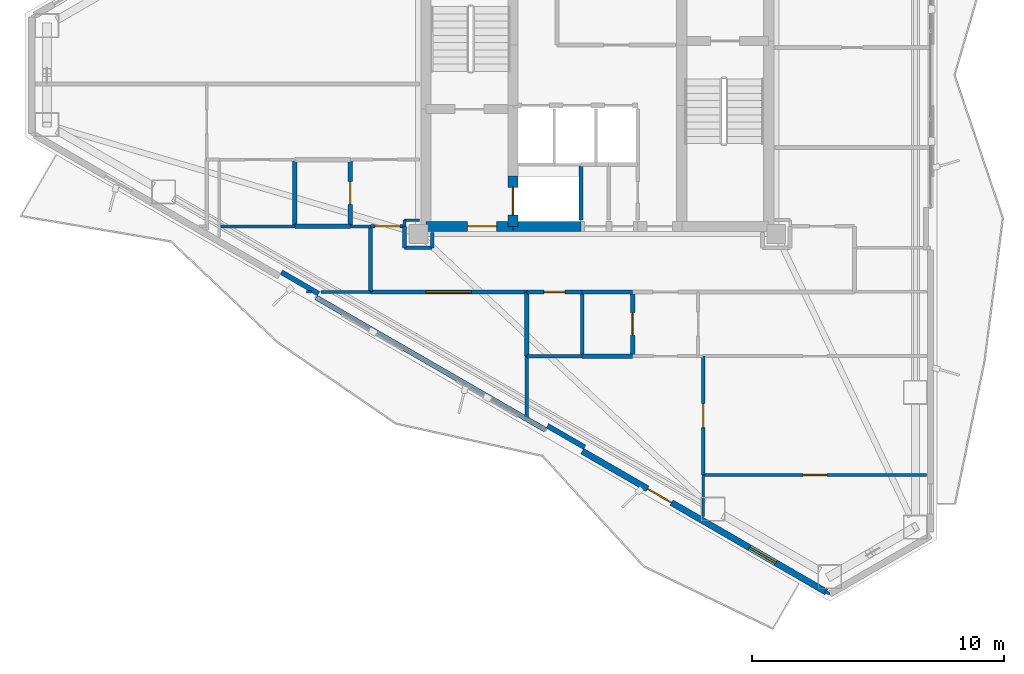
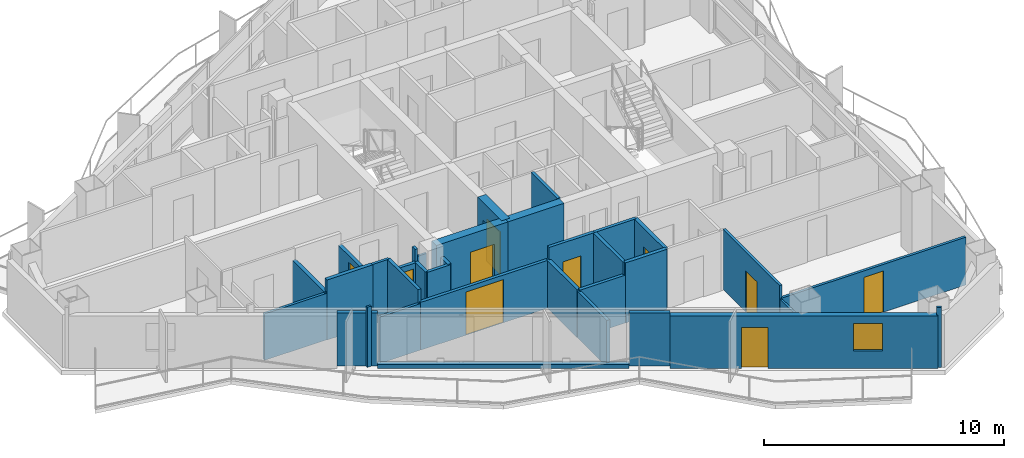
# One storey, part 12 of 19: 35 walls, 10 doors, 1 window, 11 openings.
"""IFC4 building model written with IfcOpenShell, lengths in metres."""

from ifc_helpers import new_model, si_unit, direction, frame, frame_2d, origin, place, context, subcontext, project, spatial, rectangle, extrude, material, layer, layer_set, type_object, element, fill, save


model = new_model("IFC4")

# Units and contexts
model_context = context("Model", 3, precision=1e-05, world=origin(), true_north=direction((0.0, 1.0)))
body_context = subcontext(model_context, "Body", "Model", "MODEL_VIEW")
ifc_project = project(units=[si_unit("LENGTHUNIT", "METRE"), si_unit("AREAUNIT", "SQUARE_METRE"), si_unit("VOLUMEUNIT", "CUBIC_METRE"), si_unit("PLANEANGLEUNIT", "RADIAN"), si_unit("MASSUNIT", "GRAM", prefix="KILO")], contexts=[model_context])

# Site, building, storey
site_placement = place(None, origin())
site = spatial("IfcSite", under=ifc_project, at=site_placement, CompositionType="ELEMENT")
building_placement = place(site_placement, origin())
building = spatial("IfcBuilding", under=site, at=building_placement, Name="Mersakhor Tower and Convention Hall", CompositionType="ELEMENT")
storey_placement = place(building_placement, frame((0.0, 0.0, 127.800048828125)))
storey = spatial("IfcBuildingStorey", under=building, at=storey_placement, Name="L35", CompositionType="ELEMENT", Elevation=127.800048828125)

# Wall, openings, door, window
ifc_material_1 = material(Name="Precast concrete C40/50", Category="concrete")
ifc_layer_1 = layer(ifc_material_1, 0.25)
ifc_layer_set_1 = layer_set([ifc_layer_1], Name="Precast concrete C40/50")
wall_type_1 = type_object("IfcWallType", Name="WL-EXT-250", PredefinedType="SOLIDWALL", material=ifc_layer_set_1)
wall_1_placement = place(storey_placement, frame((38.090576171875, 6.2373046875, 0.0), z_axis=(0.0, 0.0, 1.0), x_axis=(-0.86602239209, 0.500005216371, 0.0)))
wall_1 = element("IfcWall", 1, at=wall_1_placement, inside=storey, type_object=wall_type_1, Name="L35 Exterior Facade Wall F3-B1", PredefinedType="SOLIDWALL", context=body_context, shape_type="SweptSolid", body=[
    extrude(rectangle(XDim=11.18603515625, YDim=0.25, at=frame_2d((5.593017578125, 0.0))), origin(), (0.0, 0.0, 1.0), 2.679931640625),
])
opening_1_placement = place(wall_1_placement, frame((7.094970703125, 0.0, 0.0)))
opening_1 = element("IfcOpeningElement", 2, at=opening_1_placement, cuts=wall_1, Name="Opening BD-02", PredefinedType="OPENING", context=body_context, shape_type="SweptSolid", body=[
    extrude(rectangle(XDim=1.10009765625, YDim=2.10009765625, at=frame_2d((0.550048828125, 1.050048828125))), frame((0.0, 0.135009765625, 0.0), z_axis=(0.0, -1.0, 0.0), x_axis=(1.0, 0.0, 0.0)), (0.0, 0.0, 1.0), 0.27001953125),
])
opening_2_placement = place(wall_1_placement, frame((2.322021484375, 0.0, 0.89990234375)))
opening_2 = element("IfcOpeningElement", 3, at=opening_2_placement, cuts=wall_1, Name="Opening W-01", PredefinedType="OPENING", context=body_context, shape_type="SweptSolid", body=[
    extrude(rectangle(XDim=1.199951171875, YDim=1.39990234375, at=frame_2d((0.60009765625, 0.699951171875))), frame((0.0, 0.135009765625, 0.0), z_axis=(0.0, -1.0, 0.0), x_axis=(1.0, 0.0, 0.0)), (0.0, 0.0, 1.0), 0.27001953125),
])
ifc_material_2 = material(Name="Thermally broken dark aluminium and safety glass", Category="aluminium")
door_type_1 = type_object("IfcDoorType", Name="DR-BAL-110x210", OperationType="NOTDEFINED", PredefinedType="DOOR", material=ifc_material_2)
door_1_placement = place(opening_1_placement, origin())
door_1 = element("IfcDoor", 4, at=door_1_placement, inside=storey, type_object=door_type_1, Name="L35 Balcony Terrace Door F3-B1", OperationType="SINGLE_SWING_RIGHT", OverallHeight=2.10009765625, OverallWidth=1.10009765625, PredefinedType="DOOR", context=body_context, shape_type="SweptSolid", body=[
    extrude(rectangle(XDim=1.10009765625, YDim=2.10009765625, at=frame_2d((0.550048828125, 1.050048828125))), frame((0.0, 0.02490234375, 0.0), z_axis=(0.0, -1.0, 0.0), x_axis=(1.0, 0.0, 0.0)), (0.0, 0.0, 1.0), 0.050048828125),
])
fill(opening_1, door_1)
ifc_material_3 = material(Name="Dark solar low-E glazed aluminium window", Category="aluminium")
window_type = type_object("IfcWindowType", Name="WN-RES-120x150", PartitioningType="SINGLE_PANEL", PredefinedType="WINDOW", material=ifc_material_3)
window_placement = place(opening_2_placement, origin())
window = element("IfcWindow", 5, at=window_placement, inside=storey, type_object=window_type, Name="L35 Bedroom Facade Window F3-B1-1", OverallHeight=1.39990234375, OverallWidth=1.199951171875, PartitioningType="SINGLE_PANEL", PredefinedType="WINDOW", context=body_context, shape_type="SweptSolid", body=[
    extrude(rectangle(XDim=1.199951171875, YDim=1.39990234375, at=frame_2d((0.60009765625, 0.699951171875))), frame((0.0, 0.030029296875, 0.0), z_axis=(0.0, -1.0, 0.0), x_axis=(1.0, 0.0, 0.0)), (0.0, 0.0, 1.0), 0.06005859375),
])
fill(opening_2, window)

# Walls
ifc_material_4 = material(Name="Precast concrete C40/50", Category="concrete")
ifc_layer_2 = layer(ifc_material_4, 0.199951171875)
ifc_layer_set_2 = layer_set([ifc_layer_2], Name="Precast concrete C40/50")
wall_type_2 = type_object("IfcWallType", Name="WL-PAR-200", PredefinedType="PARAPET", material=ifc_layer_set_2)
wall_2_placement = place(storey_placement, frame((26.930908203125, 12.680419921875, 0.0), z_axis=(0.0, 0.0, 1.0), x_axis=(-0.866026619769, 0.499997893847, 0.0)))
element("IfcWall", 6, at=wall_2_placement, inside=storey, type_object=wall_type_2, Name="L35 Curtain Wall Upstand Sill F3-B2", PredefinedType="PARAPET", context=body_context, shape_type="SweptSolid", body=[
    extrude(rectangle(XDim=10.48583984375, YDim=0.199951171875, at=frame_2d((5.242919921875, 0.0))), origin(), (0.0, 0.0, 1.0), 0.199951171875),
])
for number, where, z_axis, x_axis, name in (
    (7, (28.4931640625, 11.986328125, 0.0), (0.0, 0.0, 1.0), (-0.86605165483, 0.499954529098, 0.0), "L35 Column Pier Cladding Wall F3-C1"),
    (8, (17.939697265625, 18.0791015625, 0.0), (0.0, 0.0, 1.0), (-0.865989465428, 0.500062241894, 0.0), "L35 Column Pier Cladding Wall F3-C2"),
):
    element("IfcWall", number, at=place(storey_placement, frame(where, z_axis=z_axis, x_axis=x_axis)), inside=storey, type_object=wall_type_2, Name=name, PredefinedType="PARAPET", context=body_context, shape_type="SweptSolid", body=[
        extrude(rectangle(XDim=1.699951171875, YDim=0.199951171875, at=frame_2d((0.85009765625, 0.0))), origin(), (0.0, 0.0, 1.0), 2.679931640625),
    ])

# Wall, opening, door
ifc_material_5 = material(Name="Moisture-resistant acoustic drywall studwork", Category="other")
ifc_layer_3 = layer(ifc_material_5, 0.175048828125)
ifc_layer_set_3 = layer_set([ifc_layer_3], Name="Moisture-resistant acoustic drywall studwork")
wall_type_3 = type_object("IfcWallType", Name="WL-PLM-175", PredefinedType="PLUMBINGWALL", material=ifc_layer_set_3)
wall_3_placement = place(storey_placement, frame((30.39990234375, 15.60009765625, 0.0), z_axis=(0.0, 0.0, 1.0), x_axis=(0.0, 1.0, 0.0)))
wall_3 = element("IfcWall", 9, at=wall_3_placement, inside=storey, type_object=wall_type_3, Name="L35 Interior Partition Wall P-054", PredefinedType="PLUMBINGWALL", context=body_context, shape_type="SweptSolid", body=[
    extrude(rectangle(XDim=2.5498046875, YDim=0.175048828125, at=frame_2d((1.27490234375, 0.0))), origin(), (0.0, 0.0, 1.0), 3.06005859375),
])
opening_3_placement = place(wall_3_placement, frame((0.824951171875, 0.0, 0.0)))
opening_3 = element("IfcOpeningElement", 10, at=opening_3_placement, cuts=wall_3, Name="Opening WD-01", PredefinedType="OPENING", context=body_context, shape_type="SweptSolid", body=[
    extrude(rectangle(XDim=0.89990234375, YDim=2.10009765625, at=frame_2d((0.449951171875, 1.050048828125))), frame((0.0, 0.097412109375, 0.0), z_axis=(0.0, -1.0, 0.0), x_axis=(1.0, 0.0, 0.0)), (0.0, 0.0, 1.0), 0.195068359375),
])
ifc_material_6 = material(Name="Solid-core hardwood leaf in painted steel frame", Category="steel")
door_type_2 = type_object("IfcDoorType", Name="DR-INT-WET-090x210", OperationType="NOTDEFINED", PredefinedType="DOOR", material=ifc_material_6)
door_2_placement = place(opening_3_placement, origin())
door_2 = element("IfcDoor", 11, at=door_2_placement, inside=storey, type_object=door_type_2, Name="L35 L35 Flat S2 Apartment Hall to L35 Flat S2 Bathroom Door", OperationType="SINGLE_SWING_RIGHT", OverallHeight=2.10009765625, OverallWidth=0.89990234375, PredefinedType="DOOR", context=body_context, shape_type="SweptSolid", body=[
    extrude(rectangle(XDim=0.89990234375, YDim=2.10009765625, at=frame_2d((0.449951171875, 1.050048828125))), frame((0.0, 0.02490234375, 0.0), z_axis=(0.0, -1.0, 0.0), x_axis=(1.0, 0.0, 0.0)), (0.0, 0.0, 1.0), 0.050048828125),
])
fill(opening_3, door_2)

wall_4_placement = place(storey_placement, frame((19.199951171875, 20.75, 0.0), z_axis=(0.0, 0.0, 1.0), x_axis=(0.0, 1.0, 0.0)))
wall_4 = element("IfcWall", 12, at=wall_4_placement, inside=storey, type_object=wall_type_3, Name="L35 Interior Partition Wall P-062", PredefinedType="PLUMBINGWALL", context=body_context, shape_type="SweptSolid", body=[
    extrude(rectangle(XDim=2.64990234375, YDim=0.175048828125, at=frame_2d((1.324951171875, 0.0))), origin(), (0.0, 0.0, 1.0), 2.432861328125),
])
opening_4_placement = place(wall_4_placement, frame((0.875, 0.0, 0.0)))
opening_4 = element("IfcOpeningElement", 13, at=opening_4_placement, cuts=wall_4, Name="Opening WD-01", PredefinedType="OPENING", context=body_context, shape_type="SweptSolid", body=[
    extrude(rectangle(XDim=0.89990234375, YDim=2.10009765625, at=frame_2d((0.449951171875, 1.050048828125))), frame((0.0, 0.097412109375, 0.0), z_axis=(0.0, -1.0, 0.0), x_axis=(1.0, 0.0, 0.0)), (0.0, 0.0, 1.0), 0.195068359375),
])
door_3_placement = place(opening_4_placement, origin())
door_3 = element("IfcDoor", 14, at=door_3_placement, inside=storey, type_object=door_type_2, Name="L35 L35 Flat W4 Apartment Hall to L35 Flat W4 Bathroom Door", OperationType="SINGLE_SWING_LEFT", OverallHeight=2.10009765625, OverallWidth=0.89990234375, PredefinedType="DOOR", context=body_context, shape_type="SweptSolid", body=[
    extrude(rectangle(XDim=0.89990234375, YDim=2.10009765625, at=frame_2d((0.449951171875, 1.050048828125))), frame((0.0, 0.02490234375, 0.0), z_axis=(0.0, -1.0, 0.0), x_axis=(1.0, 0.0, 0.0)), (0.0, 0.0, 1.0), 0.050048828125),
])
fill(opening_4, door_3)

# Walls
wall_5_placement = place(storey_placement, frame((26.199951171875, 15.60009765625, 0.0), z_axis=(0.0, 0.0, 1.0), x_axis=(0.0, 1.0, 0.0)))
element("IfcWall", 15, at=wall_5_placement, inside=storey, type_object=wall_type_3, Name="L35 Interior Partition Wall P-070", PredefinedType="PLUMBINGWALL", context=body_context, shape_type="SweptSolid", body=[
    extrude(rectangle(XDim=2.5498046875, YDim=0.175048828125, at=frame_2d((1.27490234375, 0.0))), origin(), (0.0, 0.0, 1.0), 2.432861328125),
])
wall_6_placement = place(storey_placement, frame((30.39990234375, 15.60009765625, 0.0), z_axis=(0.0, 0.0, 1.0), x_axis=(-1.0, 0.0, 0.0)))
element("IfcWall", 16, at=wall_6_placement, inside=storey, type_object=wall_type_3, Name="L35 Interior Partition Wall P-075", PredefinedType="PLUMBINGWALL", context=body_context, shape_type="SweptSolid", body=[
    extrude(rectangle(XDim=2.0, YDim=0.175048828125, at=frame_2d((1.0, 0.0))), origin(), (0.0, 0.0, 1.0), 3.06005859375),
])
wall_7_placement = place(storey_placement, frame((19.199951171875, 20.75, 0.0), z_axis=(0.0, 0.0, 1.0), x_axis=(-1.0, 0.0, 0.0)))
element("IfcWall", 17, at=wall_7_placement, inside=storey, type_object=wall_type_3, Name="L35 Interior Partition Wall P-086", PredefinedType="PLUMBINGWALL", context=body_context, shape_type="SweptSolid", body=[
    extrude(rectangle(XDim=2.199951171875, YDim=0.175048828125, at=frame_2d((1.10009765625, 0.0))), origin(), (0.0, 0.0, 1.0), 3.06005859375),
])
wall_8_placement = place(storey_placement, frame((17.0, 20.75, 0.0), z_axis=(0.0, 0.0, 1.0), x_axis=(0.0, 1.0, 0.0)))
element("IfcWall", 18, at=wall_8_placement, inside=storey, type_object=wall_type_3, Name="L35 Interior Partition Wall P-087", PredefinedType="PLUMBINGWALL", context=body_context, shape_type="SweptSolid", body=[
    extrude(rectangle(XDim=2.64990234375, YDim=0.175048828125, at=frame_2d((1.324951171875, 0.0))), origin(), (0.0, 0.0, 1.0), 2.432861328125),
])
ifc_material_7 = material(Name="Lightweight gypsum partition", Category="other")
ifc_layer_4 = layer(ifc_material_7, 0.10009765625)
ifc_layer_set_4 = layer_set([ifc_layer_4], Name="Lightweight gypsum partition")
wall_type_4 = type_object("IfcWallType", Name="WL-PRT-100", PredefinedType="PARTITIONING", material=ifc_layer_set_4)
wall_9_placement = place(storey_placement, frame((21.949951171875, 21.0, 0.0), z_axis=(0.0, 0.0, 1.0), x_axis=(-1.0, 0.0, 0.0)))
element("IfcWall", 19, at=wall_9_placement, inside=storey, type_object=wall_type_4, Name="L35 Interior Partition Wall P-064", PredefinedType="PARTITIONING", context=body_context, shape_type="SweptSolid", body=[
    extrude(rectangle(XDim=0.599853515625, YDim=0.10009765625, at=frame_2d((0.2998046875, 0.0))), origin(), (0.0, 0.0, 1.0), 2.50830078125),
])
wall_10_placement = place(storey_placement, frame((17.45703125, 18.14990234375, 0.0), z_axis=(0.0, 0.0, 1.0), x_axis=(1.0, 0.0, 0.0)))
element("IfcWall", 20, at=wall_10_placement, inside=storey, type_object=wall_type_4, Name="L35 Interior Partition Wall P-096", PredefinedType="PARTITIONING", context=body_context, shape_type="SweptSolid", body=[
    extrude(rectangle(XDim=0.199951171875, YDim=0.10009765625, at=frame_2d((0.10009765625, 0.0))), origin(), (0.0, 0.0, 1.0), 3.06005859375),
])
wall_11_placement = place(storey_placement, frame((33.199951171875, 10.8798828125, 0.0), z_axis=(0.0, 0.0, 1.0), x_axis=(0.0, -1.0, 0.0)))
element("IfcWall", 21, at=wall_11_placement, inside=storey, type_object=wall_type_4, Name="L35 Interior Partition Wall P-118", PredefinedType="PARTITIONING", context=body_context, shape_type="SweptSolid", body=[
    extrude(rectangle(XDim=1.64697265625, YDim=0.10009765625, at=frame_2d((0.823486328125, 0.0))), origin(), (0.0, 0.0, 1.0), 2.364990234375),
])
wall_12_placement = place(storey_placement, frame((38.220703125, 6.162109375, 0.0), z_axis=(0.0, 0.0, 1.0), x_axis=(-0.865581379588, 0.500768285049, 0.0)))
element("IfcWall", 22, at=wall_12_placement, inside=storey, type_object=wall_type_4, Name="L35 Interior Partition Wall P-120", PredefinedType="PARTITIONING", context=body_context, shape_type="SweptSolid", body=[
    extrude(rectangle(XDim=0.215576171875, YDim=0.10009765625, at=frame_2d((0.10791015625, 0.0))), origin(), (0.0, 0.0, 1.0), 3.06005859375),
])
ifc_material_8 = material(Name="Gypsum board acoustic partition", Category="other")
ifc_layer_5 = layer(ifc_material_8, 0.125)
ifc_layer_set_5 = layer_set([ifc_layer_5], Name="Gypsum board acoustic partition")
wall_type_5 = type_object("IfcWallType", Name="WL-PRT-125", PredefinedType="PARTITIONING", material=ifc_layer_set_5)
wall_13_placement = place(storey_placement, frame((20.0, 20.75, 0.0), z_axis=(0.0, 0.0, 1.0), x_axis=(-1.0, 0.0, 0.0)))
element("IfcWall", 23, at=wall_13_placement, inside=storey, type_object=wall_type_5, Name="L35 Interior Partition Wall P-061", PredefinedType="PARTITIONING", context=body_context, shape_type="SweptSolid", body=[
    extrude(rectangle(XDim=0.800048828125, YDim=0.125, at=frame_2d((0.39990234375, 0.0))), origin(), (0.0, 0.0, 1.0), 3.06005859375),
])
wall_14_placement = place(storey_placement, frame((21.35009765625, 21.0, 0.0), z_axis=(0.0, 0.0, 1.0), x_axis=(0.0, -1.0, 0.0)))
element("IfcWall", 24, at=wall_14_placement, inside=storey, type_object=wall_type_5, Name="L35 Interior Partition Wall P-065", PredefinedType="PARTITIONING", context=body_context, shape_type="SweptSolid", body=[
    extrude(rectangle(XDim=0.25, YDim=0.125, at=frame_2d((0.125, 0.0))), origin(), (0.0, 0.0, 1.0), 3.06005859375),
])
wall_15_placement = place(storey_placement, frame((17.0, 20.75, 0.0), z_axis=(0.0, 0.0, 1.0), x_axis=(-1.0, 0.0, 0.0)))
element("IfcWall", 25, at=wall_15_placement, inside=storey, type_object=wall_type_5, Name="L35 Interior Partition Wall P-089", PredefinedType="PARTITIONING", context=body_context, shape_type="SweptSolid", body=[
    extrude(rectangle(XDim=3.0, YDim=0.125, at=frame_2d((1.5, 0.0))), origin(), (0.0, 0.0, 1.0), 2.364990234375),
])
wall_16_placement = place(storey_placement, frame((18.04248046875, 18.14990234375, 0.0), z_axis=(0.0, 0.0, 1.0), x_axis=(1.0, 0.0, 0.0)))
element("IfcWall", 26, at=wall_16_placement, inside=storey, type_object=wall_type_5, Name="L35 Interior Partition Wall P-097", PredefinedType="PARTITIONING", context=body_context, shape_type="SweptSolid", body=[
    extrude(rectangle(XDim=1.95751953125, YDim=0.125, at=frame_2d((0.978759765625, 0.0))), origin(), (0.0, 0.0, 1.0), 2.364990234375),
])

# Wall, opening, door
wall_17_placement = place(storey_placement, frame((33.199951171875, 15.60009765625, 0.0), z_axis=(0.0, 0.0, 1.0), x_axis=(0.0, -1.0, 0.0)))
wall_17 = element("IfcWall", 27, at=wall_17_placement, inside=storey, type_object=wall_type_5, Name="L35 Interior Partition Wall P-117", PredefinedType="PARTITIONING", context=body_context, shape_type="SweptSolid", body=[
    extrude(rectangle(XDim=4.72021484375, YDim=0.125, at=frame_2d((2.360107421875, 0.0))), origin(), (0.0, 0.0, 1.0), 3.06005859375),
])
opening_5_placement = place(wall_17_placement, frame((1.885009765625, 0.0, 0.0)))
opening_5 = element("IfcOpeningElement", 28, at=opening_5_placement, cuts=wall_17, Name="Opening RD-01", PredefinedType="OPENING", context=body_context, shape_type="SweptSolid", body=[
    extrude(rectangle(XDim=0.949951171875, YDim=2.10009765625, at=frame_2d((0.47509765625, 1.050048828125))), frame((0.0, 0.072509765625, 0.0), z_axis=(0.0, -1.0, 0.0), x_axis=(1.0, 0.0, 0.0)), (0.0, 0.0, 1.0), 0.14501953125),
])
ifc_material_9 = material(Name="Solid-core hardwood leaf in painted steel frame", Category="steel")
door_type_3 = type_object("IfcDoorType", Name="DR-INT-RM-095x210", OperationType="NOTDEFINED", PredefinedType="DOOR", material=ifc_material_9)
door_4_placement = place(opening_5_placement, origin())
door_4 = element("IfcDoor", 29, at=door_4_placement, inside=storey, type_object=door_type_3, Name="L35 L35 Flat S2 Living and Dining Room to L35 Flat S2 Dining Room Door", OperationType="SINGLE_SWING_RIGHT", OverallHeight=2.10009765625, OverallWidth=0.949951171875, PredefinedType="DOOR", context=body_context, shape_type="SweptSolid", body=[
    extrude(rectangle(XDim=0.949951171875, YDim=2.10009765625, at=frame_2d((0.47509765625, 1.050048828125))), frame((0.0, 0.02490234375, 0.0), z_axis=(0.0, -1.0, 0.0), x_axis=(1.0, 0.0, 0.0)), (0.0, 0.0, 1.0), 0.050048828125),
])
fill(opening_5, door_4)

wall_18_placement = place(storey_placement, frame((33.199951171875, 10.8798828125, 0.0), z_axis=(0.0, 0.0, 1.0), x_axis=(1.0, 0.0, 0.0)))
wall_18 = element("IfcWall", 30, at=wall_18_placement, inside=storey, type_object=wall_type_5, Name="L35 Interior Partition Wall P-119", PredefinedType="PARTITIONING", context=body_context, shape_type="SweptSolid", body=[
    extrude(rectangle(XDim=8.870361328125, YDim=0.125, at=frame_2d((4.43505859375, 0.0))), origin(), (0.0, 0.0, 1.0), 2.432861328125),
])
opening_6_placement = place(wall_18_placement, frame((3.960205078125, 0.0, 0.0)))
opening_6 = element("IfcOpeningElement", 31, at=opening_6_placement, cuts=wall_18, Name="Opening RD-01", PredefinedType="OPENING", context=body_context, shape_type="SweptSolid", body=[
    extrude(rectangle(XDim=0.949951171875, YDim=2.10009765625, at=frame_2d((0.47509765625, 1.050048828125))), frame((0.0, 0.072509765625, 0.0), z_axis=(0.0, -1.0, 0.0), x_axis=(1.0, 0.0, 0.0)), (0.0, 0.0, 1.0), 0.14501953125),
])
door_5_placement = place(opening_6_placement, origin())
door_5 = element("IfcDoor", 32, at=door_5_placement, inside=storey, type_object=door_type_3, Name="L35 L35 Flat S2 Bedroom 1 to L35 Flat S2 Dining Room Door", OperationType="SINGLE_SWING_LEFT", OverallHeight=2.10009765625, OverallWidth=0.949951171875, PredefinedType="DOOR", context=body_context, shape_type="SweptSolid", body=[
    extrude(rectangle(XDim=0.949951171875, YDim=2.10009765625, at=frame_2d((0.47509765625, 1.050048828125))), frame((0.0, 0.02490234375, 0.0), z_axis=(0.0, -1.0, 0.0), x_axis=(1.0, 0.0, 0.0)), (0.0, 0.0, 1.0), 0.050048828125),
])
fill(opening_6, door_5)

# Walls
ifc_material_10 = material(Name="Fire-rated gypsum board stud partition", Category="other")
ifc_layer_6 = layer(ifc_material_10, 0.14990234375)
ifc_layer_set_6 = layer_set([ifc_layer_6], Name="Fire-rated gypsum board stud partition")
wall_type_6 = type_object("IfcWallType", Name="WL-PRT-150", PredefinedType="PARTITIONING", material=ifc_layer_set_6)
wall_19_placement = place(storey_placement, frame((28.35009765625, 23.199951171875, 0.0), z_axis=(0.0, 0.0, 1.0), x_axis=(0.0, -1.0, 0.0)))
element("IfcWall", 33, at=wall_19_placement, inside=storey, type_object=wall_type_6, Name="L35 Interior Partition Wall P-003", PredefinedType="PARTITIONING", context=body_context, shape_type="SweptSolid", body=[
    extrude(rectangle(XDim=2.199951171875, YDim=0.14990234375, at=frame_2d((1.10009765625, 0.0))), origin(), (0.0, 0.0, 1.0), 3.06005859375),
])
wall_20_placement = place(storey_placement, frame((22.449951171875, 19.89990234375, 0.0), z_axis=(0.0, 0.0, 1.0), x_axis=(0.0, 1.0, 0.0)))
element("IfcWall", 34, at=wall_20_placement, inside=storey, type_object=wall_type_6, Name="L35 Interior Partition Wall P-033", PredefinedType="PARTITIONING", context=body_context, shape_type="SweptSolid", body=[
    extrude(rectangle(XDim=0.60009765625, YDim=0.14990234375, at=frame_2d((0.300048828125, 0.0))), origin(), (0.0, 0.0, 1.0), 2.432861328125),
])
wall_21_placement = place(storey_placement, frame((30.39990234375, 18.14990234375, 0.0), z_axis=(0.0, 0.0, 1.0), x_axis=(-1.0, 0.0, 0.0)))
element("IfcWall", 35, at=wall_21_placement, inside=storey, type_object=wall_type_6, Name="L35 Interior Partition Wall P-042", PredefinedType="PARTITIONING", context=body_context, shape_type="SweptSolid", body=[
    extrude(rectangle(XDim=2.0, YDim=0.14990234375, at=frame_2d((1.0, 0.0))), origin(), (0.0, 0.0, 1.0), 3.06005859375),
])

# Wall, opening, door
wall_22_placement = place(storey_placement, frame((28.39990234375, 18.14990234375, 0.0), z_axis=(0.0, 0.0, 1.0), x_axis=(-1.0, 0.0, 0.0)))
wall_22 = element("IfcWall", 36, at=wall_22_placement, inside=storey, type_object=wall_type_6, Name="L35 Interior Partition Wall P-043", PredefinedType="PARTITIONING", context=body_context, shape_type="SweptSolid", body=[
    extrude(rectangle(XDim=2.199951171875, YDim=0.14990234375, at=frame_2d((1.10009765625, 0.0))), origin(), (0.0, 0.0, 1.0), 3.06005859375),
])
opening_7_placement = place(wall_22_placement, frame((0.675048828125, 0.0, 0.0)))
opening_7 = element("IfcOpeningElement", 37, at=opening_7_placement, cuts=wall_22, Name="Opening SVD-01", PredefinedType="OPENING", context=body_context, shape_type="SweptSolid", body=[
    extrude(rectangle(XDim=0.85009765625, YDim=2.10009765625, at=frame_2d((0.425048828125, 1.050048828125))), frame((0.0, 0.0849609375, 0.0), z_axis=(0.0, -1.0, 0.0), x_axis=(1.0, 0.0, 0.0)), (0.0, 0.0, 1.0), 0.169921875),
])
ifc_material_11 = material(Name="Fire-rated hardwood leaf and painted steel frame", Category="steel")
door_type_4 = type_object("IfcDoorType", Name="DR-INT-SVC-085x210", OperationType="NOTDEFINED", PredefinedType="DOOR", material=ifc_material_11)
door_6_placement = place(opening_7_placement, origin())
door_6 = element("IfcDoor", 38, at=door_6_placement, inside=storey, type_object=door_type_4, Name="L35 Residential South Gallery Corridor to L35 South Wing Public Toilet WC Door", OperationType="SINGLE_SWING_RIGHT", OverallHeight=2.10009765625, OverallWidth=0.85009765625, PredefinedType="DOOR", context=body_context, shape_type="SweptSolid", body=[
    extrude(rectangle(XDim=0.85009765625, YDim=2.10009765625, at=frame_2d((0.425048828125, 1.050048828125))), frame((0.0, 0.02490234375, 0.0), z_axis=(0.0, -1.0, 0.0), x_axis=(1.0, 0.0, 0.0)), (0.0, 0.0, 1.0), 0.050048828125),
])
fill(opening_7, door_6)

wall_23_placement = place(storey_placement, frame((26.199951171875, 18.14990234375, 0.0), z_axis=(0.0, 0.0, 1.0), x_axis=(-1.0, 0.0, 0.0)))
wall_23 = element("IfcWall", 39, at=wall_23_placement, inside=storey, type_object=wall_type_6, Name="L35 Interior Partition Wall P-044", PredefinedType="PARTITIONING", context=body_context, shape_type="SweptSolid", body=[
    extrude(rectangle(XDim=6.199951171875, YDim=0.14990234375, at=frame_2d((3.10009765625, 0.0))), origin(), (0.0, 0.0, 1.0), 2.432861328125),
])
opening_8_placement = place(wall_23_placement, frame((2.199951171875, 0.0, 0.0)))
opening_8 = element("IfcOpeningElement", 40, at=opening_8_placement, cuts=wall_23, Name="Opening HD-01", PredefinedType="OPENING", context=body_context, shape_type="SweptSolid", body=[
    extrude(rectangle(XDim=1.800048828125, YDim=2.199951171875, at=frame_2d((0.89990234375, 1.10009765625))), frame((0.0, 0.0849609375, 0.0), z_axis=(0.0, -1.0, 0.0), x_axis=(1.0, 0.0, 0.0)), (0.0, 0.0, 1.0), 0.169921875),
])
ifc_material_12 = material(Name="Fire-rated hardwood leaf and painted steel frame", Category="steel")
door_type_5 = type_object("IfcDoorType", Name="DR-INT-HALL-180x220", OperationType="NOTDEFINED", PredefinedType="DOOR", material=ifc_material_12)
door_7_placement = place(opening_8_placement, origin())
door_7 = element("IfcDoor", 41, at=door_7_placement, inside=storey, type_object=door_type_5, Name="L35 Residential South Gallery Corridor to L35 South Wing Residents Reading Library Door", OperationType="DOUBLE_DOOR_SINGLE_SWING", OverallHeight=2.199951171875, OverallWidth=1.800048828125, PredefinedType="DOOR", context=body_context, shape_type="SweptSolid", body=[
    extrude(rectangle(XDim=1.800048828125, YDim=2.199951171875, at=frame_2d((0.89990234375, 1.10009765625))), frame((0.0, 0.02490234375, 0.0), z_axis=(0.0, -1.0, 0.0), x_axis=(1.0, 0.0, 0.0)), (0.0, 0.0, 1.0), 0.050048828125),
])
fill(opening_8, door_7)

# Wall
wall_24_placement = place(storey_placement, frame((20.0, 18.14990234375, 0.0), z_axis=(0.0, 0.0, 1.0), x_axis=(0.0, 1.0, 0.0)))
element("IfcWall", 42, at=wall_24_placement, inside=storey, type_object=wall_type_6, Name="L35 Interior Partition Wall P-045", PredefinedType="PARTITIONING", context=body_context, shape_type="SweptSolid", body=[
    extrude(rectangle(XDim=2.60009765625, YDim=0.14990234375, at=frame_2d((1.300048828125, 0.0))), origin(), (0.0, 0.0, 1.0), 3.06005859375),
])

# Wall, opening, door
wall_25_placement = place(storey_placement, frame((20.0, 20.75, 0.0), z_axis=(0.0, 0.0, 1.0), x_axis=(1.0, 0.0, 0.0)))
wall_25 = element("IfcWall", 43, at=wall_25_placement, inside=storey, type_object=wall_type_6, Name="L35 Interior Partition Wall P-046", PredefinedType="PARTITIONING", context=body_context, shape_type="SweptSolid", body=[
    extrude(rectangle(XDim=1.35009765625, YDim=0.14990234375, at=frame_2d((0.675048828125, 0.0))), origin(), (0.0, 0.0, 1.0), 2.432861328125),
])
opening_9_placement = place(wall_25_placement, frame((0.175048828125, 0.0, 0.0)))
opening_9 = element("IfcOpeningElement", 44, at=opening_9_placement, cuts=wall_25, Name="Opening FD-01", PredefinedType="OPENING", context=body_context, shape_type="SweptSolid", body=[
    extrude(rectangle(XDim=1.0, YDim=2.14990234375, at=frame_2d((0.5, 1.074951171875))), frame((0.0, 0.0849609375, 0.0), z_axis=(0.0, -1.0, 0.0), x_axis=(1.0, 0.0, 0.0)), (0.0, 0.0, 1.0), 0.169921875),
])
ifc_material_13 = material(Name="Fire-rated hardwood leaf and painted steel frame", Category="steel")
door_type_6 = type_object("IfcDoorType", Name="DR-INT-FLT-100x215", OperationType="NOTDEFINED", PredefinedType="DOOR", material=ifc_material_13)
door_8_placement = place(opening_9_placement, origin())
door_8 = element("IfcDoor", 45, at=door_8_placement, inside=storey, type_object=door_type_6, Name="L35 Apartment Entrance Door (Residential South Gallery Corridor to L35 Flat W4 Apartment Hall)", OperationType="SINGLE_SWING_LEFT", OverallHeight=2.14990234375, OverallWidth=1.0, PredefinedType="DOOR", context=body_context, shape_type="SweptSolid", body=[
    extrude(rectangle(XDim=1.0, YDim=2.14990234375, at=frame_2d((0.5, 1.074951171875))), frame((0.0, 0.02490234375, 0.0), z_axis=(0.0, -1.0, 0.0), x_axis=(1.0, 0.0, 0.0)), (0.0, 0.0, 1.0), 0.050048828125),
])
fill(opening_9, door_8)

# Walls
wall_26_placement = place(storey_placement, frame((21.35009765625, 20.75, 0.0), z_axis=(0.0, 0.0, 1.0), x_axis=(0.0, -1.0, 0.0)))
element("IfcWall", 46, at=wall_26_placement, inside=storey, type_object=wall_type_6, Name="L35 Interior Partition Wall P-047", PredefinedType="PARTITIONING", context=body_context, shape_type="SweptSolid", body=[
    extrude(rectangle(XDim=0.85009765625, YDim=0.14990234375, at=frame_2d((0.425048828125, 0.0))), origin(), (0.0, 0.0, 1.0), 2.432861328125),
])
wall_27_placement = place(storey_placement, frame((21.35009765625, 19.89990234375, 0.0), z_axis=(0.0, 0.0, 1.0), x_axis=(1.0, 0.0, 0.0)))
element("IfcWall", 47, at=wall_27_placement, inside=storey, type_object=wall_type_6, Name="L35 Interior Partition Wall P-048", PredefinedType="PARTITIONING", context=body_context, shape_type="SweptSolid", body=[
    extrude(rectangle(XDim=1.099853515625, YDim=0.14990234375, at=frame_2d((0.5498046875, 0.0))), origin(), (0.0, 0.0, 1.0), 2.432861328125),
])
wall_28_placement = place(storey_placement, frame((28.39990234375, 15.60009765625, 0.0), z_axis=(0.0, 0.0, 1.0), x_axis=(-1.0, 0.0, 0.0)))
element("IfcWall", 48, at=wall_28_placement, inside=storey, type_object=wall_type_6, Name="L35 Interior Partition Wall P-069", PredefinedType="PARTITIONING", context=body_context, shape_type="SweptSolid", body=[
    extrude(rectangle(XDim=2.199951171875, YDim=0.14990234375, at=frame_2d((1.10009765625, 0.0))), origin(), (0.0, 0.0, 1.0), 2.432861328125),
])
wall_29_placement = place(storey_placement, frame((28.39990234375, 18.14990234375, 0.0), z_axis=(0.0, 0.0, 1.0), x_axis=(0.0, -1.0, 0.0)))
element("IfcWall", 49, at=wall_29_placement, inside=storey, type_object=wall_type_6, Name="L35 Interior Partition Wall P-071", PredefinedType="PARTITIONING", context=body_context, shape_type="SweptSolid", body=[
    extrude(rectangle(XDim=2.5498046875, YDim=0.14990234375, at=frame_2d((1.27490234375, 0.0))), origin(), (0.0, 0.0, 1.0), 3.06005859375),
])
wall_30_placement = place(storey_placement, frame((26.199951171875, 15.60009765625, 0.0), z_axis=(0.0, 0.0, 1.0), x_axis=(0.0, -1.0, 0.0)))
element("IfcWall", 50, at=wall_30_placement, inside=storey, type_object=wall_type_6, Name="L35 Interior Partition Wall P-098", PredefinedType="PARTITIONING", context=body_context, shape_type="SweptSolid", body=[
    extrude(rectangle(XDim=2.453857421875, YDim=0.14990234375, at=frame_2d((1.22705078125, 0.0))), origin(), (0.0, 0.0, 1.0), 2.364990234375),
])
ifc_material_14 = material(Name="Concrete C60/75", Category="concrete")
ifc_layer_7 = layer(ifc_material_14, 0.39990234375)
ifc_layer_set_7 = layer_set([ifc_layer_7], Name="Concrete C60/75")
wall_type_7 = type_object("IfcWallType", Name="WL-SHR-400", PredefinedType="SHEAR", material=ifc_layer_set_7)
wall_31_placement = place(storey_placement, frame((28.35009765625, 20.75, 0.0), z_axis=(0.0, 0.0, 1.0), x_axis=(-1.0, 0.0, 0.0)))
element("IfcWall", 51, at=wall_31_placement, inside=storey, type_object=wall_type_7, Name="L35 Core Wall CW-S3", PredefinedType="SHEAR", context=body_context, shape_type="SweptSolid", body=[
    extrude(rectangle(XDim=2.7001953125, YDim=0.39990234375, at=frame_2d((1.35009765625, 0.0))), origin(), (0.0, 0.0, 1.0), 3.06005859375),
])

# Wall, opening, door
wall_32_placement = place(storey_placement, frame((25.64990234375, 20.75, 0.0), z_axis=(0.0, 0.0, 1.0), x_axis=(-1.0, 0.0, 0.0)))
wall_32 = element("IfcWall", 52, at=wall_32_placement, inside=storey, type_object=wall_type_7, Name="L35 Core Wall CW-S4", PredefinedType="SHEAR", context=body_context, shape_type="SweptSolid", body=[
    extrude(rectangle(XDim=3.449951171875, YDim=0.39990234375, at=frame_2d((1.72509765625, 0.0))), origin(), (0.0, 0.0, 1.0), 3.06005859375),
])
opening_10_placement = place(wall_32_placement, frame((0.64990234375, 0.0, 0.0)))
opening_10 = element("IfcOpeningElement", 53, at=opening_10_placement, cuts=wall_32, Name="Opening SD-01", PredefinedType="OPENING", context=body_context, shape_type="SweptSolid", body=[
    extrude(rectangle(XDim=1.14990234375, YDim=2.14990234375, at=frame_2d((0.574951171875, 1.074951171875))), frame((0.0, 0.2099609375, 0.0), z_axis=(0.0, -1.0, 0.0), x_axis=(1.0, 0.0, 0.0)), (0.0, 0.0, 1.0), 0.419921875),
])
ifc_material_15 = material(Name="Fire-rated hardwood leaf and painted steel frame", Category="steel")
door_type_7 = type_object("IfcDoorType", Name="DR-INT-STAIR-115x215", OperationType="NOTDEFINED", PredefinedType="DOOR", material=ifc_material_15)
door_9_placement = place(opening_10_placement, origin())
door_9 = element("IfcDoor", 54, at=door_9_placement, inside=storey, type_object=door_type_7, Name="L35 Firefighting Lobby West Fire Door", OperationType="SINGLE_SWING_LEFT", OverallHeight=2.14990234375, OverallWidth=1.14990234375, PredefinedType="DOOR", context=body_context, shape_type="SweptSolid", body=[
    extrude(rectangle(XDim=1.14990234375, YDim=2.14990234375, at=frame_2d((0.574951171875, 1.074951171875))), frame((0.0, 0.02490234375, 0.0), z_axis=(0.0, -1.0, 0.0), x_axis=(1.0, 0.0, 0.0)), (0.0, 0.0, 1.0), 0.050048828125),
])
fill(opening_10, door_9)

wall_33_placement = place(storey_placement, frame((25.64990234375, 20.75, 0.0), z_axis=(0.0, 0.0, 1.0), x_axis=(0.0, 1.0, 0.0)))
wall_33 = element("IfcWall", 55, at=wall_33_placement, inside=storey, type_object=wall_type_7, Name="L35 Core Wall CS-W-FFL", PredefinedType="SHEAR", context=body_context, shape_type="SweptSolid", body=[
    extrude(rectangle(XDim=2.0, YDim=0.39990234375, at=frame_2d((1.0, 0.0))), origin(), (0.0, 0.0, 1.0), 3.06005859375),
])
opening_11_placement = place(wall_33_placement, frame((0.449951171875, 0.0, 0.0)))
opening_11 = element("IfcOpeningElement", 56, at=opening_11_placement, cuts=wall_33, Name="Opening LD-FFL1", PredefinedType="OPENING", context=body_context, shape_type="SweptSolid", body=[
    extrude(rectangle(XDim=1.10009765625, YDim=2.14990234375, at=frame_2d((0.550048828125, 1.074951171875))), frame((0.0, 0.2099609375, 0.0), z_axis=(0.0, -1.0, 0.0), x_axis=(1.0, 0.0, 0.0)), (0.0, 0.0, 1.0), 0.419921875),
])
ifc_material_16 = material(Name="Fire-rated brushed stainless steel sliding landing door", Category="steel")
door_type_8 = type_object("IfcDoorType", Name="DR-LIFT-SLD-110x215", OperationType="NOTDEFINED", PredefinedType="DOOR", material=ifc_material_16)
door_10_placement = place(opening_11_placement, origin())
door_10 = element("IfcDoor", 57, at=door_10_placement, inside=storey, type_object=door_type_8, Name="L35 Firefighting Lift Landing Door LD-FFL1", OperationType="SLIDING_TO_LEFT", OverallHeight=2.14990234375, OverallWidth=1.10009765625, PredefinedType="DOOR", context=body_context, shape_type="SweptSolid", body=[
    extrude(rectangle(XDim=1.10009765625, YDim=2.14990234375, at=frame_2d((0.550048828125, 1.074951171875))), frame((0.0, 0.02490234375, 0.0), z_axis=(0.0, -1.0, 0.0), x_axis=(1.0, 0.0, 0.0)), (0.0, 0.0, 1.0), 0.050048828125),
])
fill(opening_11, door_10)

save(model, "model.ifc")
